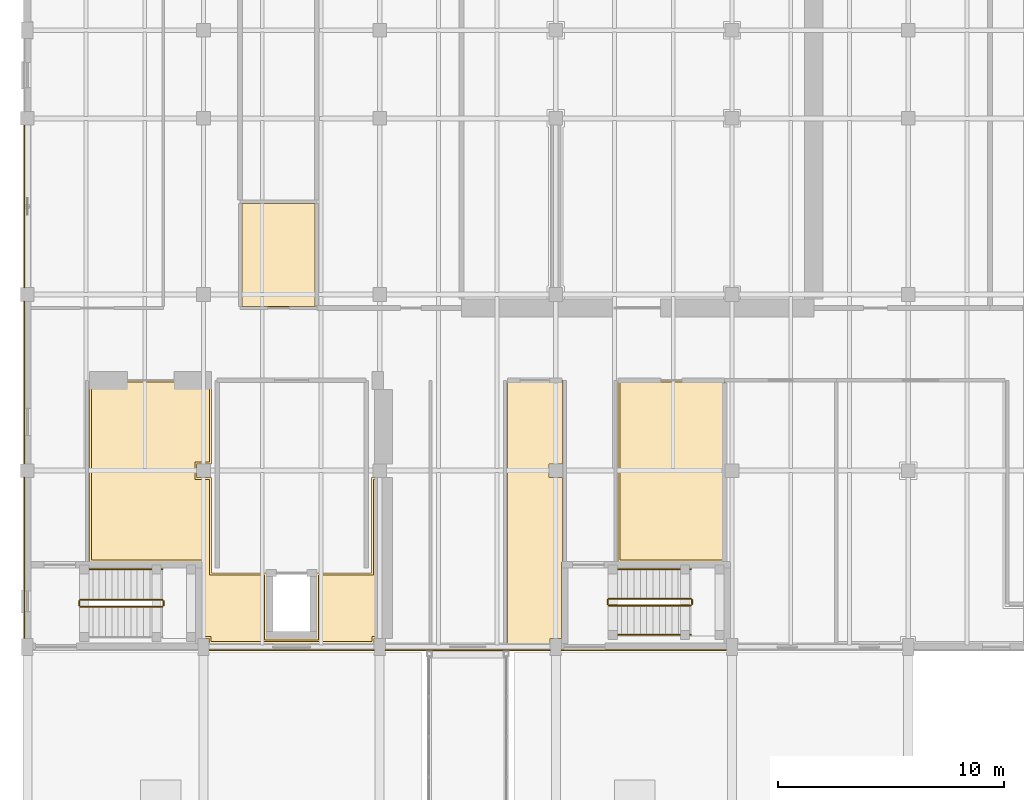
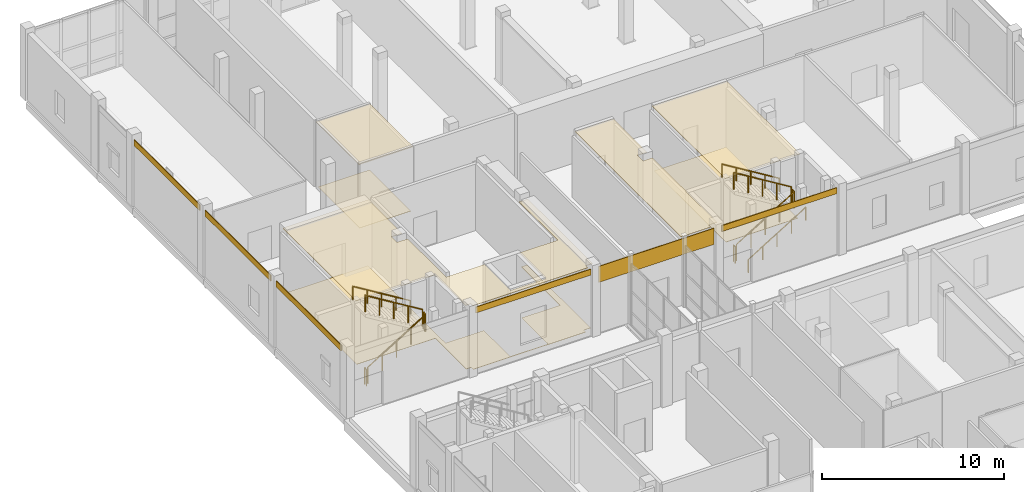
# One storey, part 113 of 131: 13 coverings, 11 railings.
"""IFC4 building model written with IfcOpenShell, lengths in metres."""

import ifcopenshell
import ifcopenshell.guid

model = None  # the IFC model being written
_history = None  # IfcOwnerHistory: only IFC2X3 demands one
_inside = {}  # id of a spatial element -> (the spatial element, [elements in it])
_under = {}  # id of a project, library or spatial element -> (it, [spatial elements below it])
_declared = {}  # id of a project -> (the project, [libraries it declares])
_typed = {}  # id of a type object -> (the type object, [elements of that type])
_made_of = {}  # id of a material, layer set ... -> (it, [elements and type objects made of it])


def new_model(schema):
    """Start an empty IFC model of exactly this schema.

    Asked for "IFC4X3", IfcOpenShell would pick the latest addendum, in which some entities
    have other attributes; the version numbers below select the first issue.
    IFC2X3 requires an IfcOwnerHistory on every rooted entity: one is made here for all.
    """
    global model, _history
    if schema == "IFC4X3":
        model = ifcopenshell.file(schema_version=(4, 3, 0, 0))
    else:
        model = ifcopenshell.file(schema=schema)
    _inside.clear()
    _under.clear()
    _declared.clear()
    _typed.clear()
    _made_of.clear()
    _history = None
    if model.schema == "IFC2X3":
        org = make("IfcOrganization", Name="unknown")
        user = make(
            "IfcPersonAndOrganization",
            ThePerson=make("IfcPerson", FamilyName="unknown"),
            TheOrganization=org,
        )
        app = make(
            "IfcApplication",
            ApplicationDeveloper=org,
            Version="unknown",
            ApplicationFullName="unknown",
            ApplicationIdentifier="unknown",
        )
        _history = make(
            "IfcOwnerHistory",
            OwningUser=user,
            OwningApplication=app,
            ChangeAction="ADDED",
            CreationDate=0,
        )
    return model


def make(cls, **values):
    """One entity of the class cls with the attributes given. An attribute that is None is left unset."""
    return model.create_entity(
        cls, **{name: value for name, value in values.items() if value is not None}
    )


def rooted(cls, **values):
    """An entity with a GlobalId (a new one), such as an element, a storey or a relation."""
    return make(cls, GlobalId=ifcopenshell.guid.new(), OwnerHistory=_history, **values)


def si_unit(unit_type, name, prefix=None):
    """IfcSIUnit, for example si_unit("LENGTHUNIT", "METRE", prefix="MILLI")."""
    return make("IfcSIUnit", UnitType=unit_type, Prefix=prefix, Name=name)


def assignment(units):
    """IfcUnitAssignment: the units of a project."""
    return None if units is None else make("IfcUnitAssignment", Units=units)


def point(xyz):
    """IfcCartesianPoint."""
    return None if xyz is None else make("IfcCartesianPoint", Coordinates=xyz)


def direction(xyz):
    """IfcDirection."""
    return None if xyz is None else make("IfcDirection", DirectionRatios=xyz)


def frame(location, z_axis=None, x_axis=None):
    """IfcAxis2Placement3D, a coordinate frame: its origin and axes. An axis left out is left unset."""
    return make(
        "IfcAxis2Placement3D",
        Location=point(location),
        Axis=direction(z_axis),
        RefDirection=direction(x_axis),
    )


def frame_2d(location, x_axis=None):
    """IfcAxis2Placement2D, a coordinate frame in the plane: its origin and x axis."""
    return make(
        "IfcAxis2Placement2D", Location=point(location), RefDirection=direction(x_axis)
    )


def origin():
    """The frame at (0, 0, 0) with its axes left unset."""
    return frame((0.0, 0.0, 0.0))


def origin_2d():
    """The frame at (0, 0) in the plane with its x axis left unset."""
    return frame_2d((0.0, 0.0))


def place(relative_to, where):
    """IfcLocalPlacement: puts the frame where relative to a parent placement (None: the world)."""
    return make(
        "IfcLocalPlacement", PlacementRelTo=relative_to, RelativePlacement=where
    )


def context(
    kind, dimensions, precision=None, world=None, true_north=None, identifier=None
):
    """IfcGeometricRepresentationContext, for example the 3D "Model" context."""
    return make(
        "IfcGeometricRepresentationContext",
        ContextIdentifier=identifier,
        ContextType=kind,
        CoordinateSpaceDimension=dimensions,
        Precision=precision,
        WorldCoordinateSystem=world,
        TrueNorth=true_north,
    )


def subcontext(parent, identifier, kind, view, scale=None):
    """IfcGeometricRepresentationSubContext, for example "Body" below "Model"."""
    return make(
        "IfcGeometricRepresentationSubContext",
        ContextIdentifier=identifier,
        ContextType=kind,
        ParentContext=parent,
        TargetScale=scale,
        TargetView=view,
    )


def project(units=None, contexts=None):
    """IfcProject with its units and contexts."""
    return rooted(
        "IfcProject",
        Name="project",
        RepresentationContexts=contexts,
        UnitsInContext=assignment(units),
    )


def spatial(cls, under=None, at=None, **own):
    """A site, building, storey or space (cls), placed at a placement, below another one or the project."""
    s = rooted(cls, ObjectPlacement=at, **own)
    if under is not None:
        _under.setdefault(under.id(), (under, []))[1].append(s)
    return s


def polyline(points):
    """IfcPolyline through the points."""
    return make("IfcPolyline", Points=[point(p) for p in points])


def profile(cls, at=None, kind="AREA", **sizes):
    """A parametric profile (cls). Its sizes go by their IFC names, for example OverallWidth=200.0."""
    return make(cls, ProfileType=kind, Position=at, **sizes)


def rectangle(**sizes):
    """IfcRectangleProfileDef."""
    return profile("IfcRectangleProfileDef", **sizes)


def circle(**sizes):
    """IfcCircleProfileDef."""
    return profile("IfcCircleProfileDef", **sizes)


def outline(outer, holes=None, kind="AREA"):
    """IfcArbitraryClosedProfileDef: a profile drawn as a closed curve; with holes, ...WithVoids."""
    if holes is None:
        return make("IfcArbitraryClosedProfileDef", ProfileType=kind, OuterCurve=outer)
    return make(
        "IfcArbitraryProfileDefWithVoids",
        ProfileType=kind,
        OuterCurve=outer,
        InnerCurves=holes,
    )


def extrude(swept, where, along, depth):
    """IfcExtrudedAreaSolid: the profile swept, set in the frame where, extruded along a direction by depth."""
    return make(
        "IfcExtrudedAreaSolid",
        SweptArea=swept,
        Position=where,
        ExtrudedDirection=direction(along),
        Depth=depth,
    )


def shape(context_of_items, identifier, shape_type, items):
    """IfcShapeRepresentation: the items that make up one representation, for example the "Body"."""
    return make(
        "IfcShapeRepresentation",
        ContextOfItems=context_of_items,
        RepresentationIdentifier=identifier,
        RepresentationType=shape_type,
        Items=items,
    )


def material(Name=None, Category=None):
    """IfcMaterial."""
    return make("IfcMaterial", Name=Name, Category=Category)


def layer(
    of_material, thickness, ventilated=None, Name=None, Category=None, Priority=None
):
    """IfcMaterialLayer: one layer of a wall or slab, of a material (None: an air gap)."""
    return make(
        "IfcMaterialLayer",
        Material=of_material,
        LayerThickness=thickness,
        IsVentilated=ventilated,
        Name=Name,
        Category=Category,
        Priority=Priority,
    )


def layer_set(layers, Name=None):
    """IfcMaterialLayerSet."""
    return make("IfcMaterialLayerSet", MaterialLayers=layers, LayerSetName=Name)


def made_of(thing, what):
    """Note that an element or type object is made of a material, layer set ...; save() writes the relation."""
    if what is not None:
        _made_of.setdefault(what.id(), (what, []))[1].append(thing)
    return thing


def type_object(cls, material=None, **own):
    """A type object (cls), such as IfcWallType, which elements share."""
    return made_of(rooted(cls, **own), material)


def element(
    cls,
    number,
    at=None,
    inside=None,
    cuts=None,
    type_object=None,
    material=None,
    context=None,
    identifier="Body",
    shape_type=None,
    held_by="IfcProductDefinitionShape",
    body=None,
    shapes=None,
    **own,
):
    """One element of the class cls, such as IfcWall. Its Tag is "e" and its number.

    at: its placement. inside: the storey or other place that contains it. cuts: it is an
    opening in that element (IfcRelVoidsElement). A single representation is given by context,
    identifier, shape_type and body (its items); several are given by shapes. held_by: the class
    of the entity that holds the representations. save() writes the other relations.
    """
    e = rooted(cls, Tag="e%d" % number, ObjectPlacement=at, **own)
    if body is not None:
        shapes = [shape(context, identifier, shape_type, body)]
    if shapes is not None:
        e.Representation = make(held_by, Representations=shapes)
    if inside is not None:
        _inside.setdefault(inside.id(), (inside, []))[1].append(e)
    if cuts is not None:
        rooted(
            "IfcRelVoidsElement", RelatingBuildingElement=cuts, RelatedOpeningElement=e
        )
    if type_object is not None:
        _typed.setdefault(type_object.id(), (type_object, []))[1].append(e)
    return made_of(e, material)


def aggregate(whole, parts):
    """IfcRelAggregates: a whole, such as a stair, and the parts it consists of."""
    return rooted("IfcRelAggregates", RelatingObject=whole, RelatedObjects=parts)


def save(model, path):
    """Write the relations noted so far, then the file.

    IfcRelAggregates (storeys below a building ...), IfcRelContainedInSpatialStructure (elements
    in a storey), IfcRelDefinesByType, IfcRelAssociatesMaterial and IfcRelDeclares: one each for
    every whole, place, type object, material and project.
    """
    for whole, parts in _under.values():
        aggregate(whole, parts)
    for where, things in _inside.values():
        rooted(
            "IfcRelContainedInSpatialStructure",
            RelatedElements=things,
            RelatingStructure=where,
        )
    for kind, things in _typed.values():
        rooted("IfcRelDefinesByType", RelatedObjects=things, RelatingType=kind)
    for what, things in _made_of.values():
        rooted("IfcRelAssociatesMaterial", RelatedObjects=things, RelatingMaterial=what)
    for by, libraries in _declared.values():
        rooted("IfcRelDeclares", RelatingContext=by, RelatedDefinitions=libraries)
    model.write(path)


model = new_model("IFC4")

# Units and contexts
model_context = context("Model", 3, precision=1e-05, world=origin(), true_north=direction((0.0, 1.0)))
body_context = subcontext(model_context, "Body", "Model", "MODEL_VIEW")
ifc_project = project(units=[si_unit("LENGTHUNIT", "METRE"), si_unit("AREAUNIT", "SQUARE_METRE"), si_unit("VOLUMEUNIT", "CUBIC_METRE"), si_unit("PLANEANGLEUNIT", "RADIAN"), si_unit("MASSUNIT", "GRAM", prefix="KILO")], contexts=[model_context])

# Site, building, storey
site_placement = place(None, origin())
site = spatial("IfcSite", under=ifc_project, at=site_placement, CompositionType="ELEMENT")
building_placement = place(site_placement, origin())
building = spatial("IfcBuilding", under=site, at=building_placement, Name="Celorna Specialist Clinic", CompositionType="ELEMENT")
storey_placement = place(building_placement, origin())
storey = spatial("IfcBuildingStorey", under=building, at=storey_placement, Name="L00", CompositionType="ELEMENT", Elevation=0.0)

# Coverings
ifc_material_1 = material(Name="Hygienic acoustic mineral-fibre ceiling")
ifc_layer_1 = layer(ifc_material_1, 0.030029296875, Name="Hygienic acoustic mineral-fibre ceiling")
ifc_layer_set_1 = layer_set([ifc_layer_1], Name="Hygienic acoustic mineral-fibre ceiling")
covering_type_1 = type_object("IfcCoveringType", Name="CE-01", PredefinedType="CEILING", material=ifc_layer_set_1)
covering_1_placement = place(storey_placement, frame((0.0, 0.0, 4.330078125)))
element("IfcCovering", 1, at=covering_1_placement, inside=storey, type_object=covering_type_1, Name="Acoustic ceiling L00-026", PredefinedType="CEILING", context=body_context, shape_type="SweptSolid", body=[
    extrude(outline(polyline([(8.1650390625, 38.364990234375), (10.590087890625, 38.364990234375), (10.590087890625, 35.489990234375), (12.81005859375, 35.489990234375), (12.81005859375, 38.364990234375), (15.235107421875, 38.364990234375), (15.235107421875, 42.60498046875), (15.294921875, 42.60498046875), (15.294921875, 42.594970703125), (15.784912109375, 42.594970703125), (15.784912109375, 35.47998046875), (15.344970703125, 35.47998046875), (15.344970703125, 35.2548828125), (8.054931640625, 35.2548828125), (8.054931640625, 35.47998046875), (7.72509765625, 35.47998046875), (7.72509765625, 38.864990234375), (2.7451171875, 38.864990234375), (2.7451171875, 46.9150390625), (8.1650390625, 46.9150390625), (8.1650390625, 43.195068359375), (8.10498046875, 43.195068359375), (8.10498046875, 43.205078125), (7.4951171875, 43.205078125), (7.4951171875, 42.594970703125), (8.10498046875, 42.594970703125), (8.10498046875, 42.60498046875), (8.1650390625, 42.60498046875), (8.1650390625, 38.364990234375)])), origin(), (0.0, 0.0, 1.0), 0.030029296875),
])
covering_2_placement = place(storey_placement, frame((0.0, 0.0, 4.330078125)))
element("IfcCovering", 2, at=covering_2_placement, inside=storey, type_object=covering_type_1, Name="Acoustic ceiling L00-027", PredefinedType="CEILING", context=body_context, shape_type="SweptSolid", body=[
    extrude(outline(polyline([(21.2548828125, 46.9150390625), (23.68505859375, 46.9150390625), (23.68505859375, 43.205078125), (23.094970703125, 43.205078125), (23.094970703125, 42.594970703125), (23.68505859375, 42.594970703125), (23.68505859375, 38.864990234375), (23.655029296875, 38.864990234375), (23.655029296875, 35.469970703125), (23.655029296875, 35.469970703125), (23.655029296875, 35.47998046875), (23.14501953125, 35.47998046875), (23.14501953125, 35.2548828125), (21.2548828125, 35.2548828125), (21.2548828125, 46.9150390625)])), origin(), (0.0, 0.0, 1.0), 0.030029296875),
])
covering_3_placement = place(storey_placement, frame((0.0, 0.0, 4.330078125)))
element("IfcCovering", 3, at=covering_3_placement, inside=storey, type_object=covering_type_1, Name="Acoustic ceiling L00-028", PredefinedType="CEILING", context=body_context, shape_type="SweptSolid", body=[
    extrude(outline(polyline([(26.14501953125, 38.864990234375), (26.14501953125, 46.9150390625), (30.885009765625, 46.9150390625), (30.885009765625, 38.864990234375), (26.14501953125, 38.864990234375)])), origin(), (0.0, 0.0, 1.0), 0.030029296875),
])
covering_4_placement = place(storey_placement, frame((0.0, 0.0, 4.330078125)))
element("IfcCovering", 4, at=covering_4_placement, inside=storey, type_object=covering_type_1, Name="Acoustic ceiling L00-032", PredefinedType="CEILING", context=body_context, shape_type="SweptSolid", body=[
    extrude(outline(polyline([(12.8349609375, 54.81494140625), (12.8349609375, 50.0849609375), (9.405029296875, 50.0849609375), (9.405029296875, 54.81494140625), (12.8349609375, 54.81494140625)])), origin(), (0.0, 0.0, 1.0), 0.030029296875),
])
ifc_material_2 = material(Name="Pero Pinheiro Lioz limestone rainscreen cladding", Category="masonry")
ifc_layer_2 = layer(ifc_material_2, 0.044921875, Name="Pero Pinheiro Lioz limestone rainscreen cladding")
ifc_layer_set_2 = layer_set([ifc_layer_2], Name="Pero Pinheiro Lioz limestone rainscreen cladding")
covering_type_2 = type_object("IfcCoveringType", Name="CL-01", PredefinedType="CLADDING", material=ifc_layer_set_2)
covering_5_placement = place(storey_placement, frame((11.699951171875, 34.952392578125, 4.06005859375), z_axis=(0.0, 0.0, 1.0), x_axis=(-1.0, 0.0, 0.0)))
element("IfcCovering", 5, at=covering_5_placement, inside=storey, type_object=covering_type_2, Name="Lioz spandrel cladding #103", PredefinedType="CLADDING", context=body_context, shape_type="SweptSolid", body=[
    extrude(rectangle(XDim=7.300048828125, YDim=0.044921875, at=origin_2d()), origin(), (0.0, 0.0, 1.0), 0.39990234375),
])
covering_6_placement = place(storey_placement, frame((19.5, 34.952392578125, 3.38525390625), z_axis=(0.0, 0.0, 1.0), x_axis=(-1.0, 0.0, 0.0)))
element("IfcCovering", 6, at=covering_6_placement, inside=storey, type_object=covering_type_2, Name="Lioz spandrel cladding #104", PredefinedType="CLADDING", context=body_context, shape_type="SweptSolid", body=[
    extrude(rectangle(XDim=7.300048828125, YDim=0.044921875, at=origin_2d()), origin(), (0.0, 0.0, 1.0), 1.074951171875),
])
covering_7_placement = place(storey_placement, frame((27.300048828125, 34.952392578125, 4.06005859375), z_axis=(0.0, 0.0, 1.0), x_axis=(-1.0, 0.0, 0.0)))
element("IfcCovering", 7, at=covering_7_placement, inside=storey, type_object=covering_type_2, Name="Lioz spandrel cladding #105", PredefinedType="CLADDING", context=body_context, shape_type="SweptSolid", body=[
    extrude(rectangle(XDim=7.300048828125, YDim=0.044921875, at=origin_2d()), origin(), (0.0, 0.0, 1.0), 0.39990234375),
])
covering_8_placement = place(storey_placement, frame((-0.1474609375, 39.03759765625, 4.06005859375), z_axis=(0.0, 0.0, 1.0), x_axis=(0.0, 1.0, 0.0)))
element("IfcCovering", 8, at=covering_8_placement, inside=storey, type_object=covering_type_2, Name="Lioz spandrel cladding #108", PredefinedType="CLADDING", context=body_context, shape_type="SweptSolid", body=[
    extrude(rectangle(XDim=7.125, YDim=0.044921875, at=origin_2d()), origin(), (0.0, 0.0, 1.0), 0.39990234375),
])
for number, where, z_axis, x_axis, name in (
    (9, (-0.1474609375, 46.800048828125, 4.06005859375), (0.0, 0.0, 1.0), (0.0, 1.0, 0.0), "Lioz spandrel cladding #109"),
    (10, (-0.1474609375, 54.60009765625, 4.06005859375), (0.0, 0.0, 1.0), (0.0, 1.0, 0.0), "Lioz spandrel cladding #110"),
):
    element("IfcCovering", number, at=place(storey_placement, frame(where, z_axis=z_axis, x_axis=x_axis)), inside=storey, type_object=covering_type_2, Name=name, PredefinedType="CLADDING", context=body_context, shape_type="SweptSolid", body=[
        extrude(rectangle(XDim=7.199951171875, YDim=0.044921875, at=origin_2d()), origin(), (0.0, 0.0, 1.0), 0.39990234375),
    ])
ifc_material_3 = material(Name="Seamless antimicrobial clinical vinyl and Lioz terrazzo flooring")
ifc_layer_3 = layer(ifc_material_3, 0.02001953125, Name="Seamless antimicrobial clinical vinyl and Lioz terrazzo flooring")
ifc_layer_set_3 = layer_set([ifc_layer_3], Name="Seamless antimicrobial clinical vinyl and Lioz terrazzo flooring")
covering_type_3 = type_object("IfcCoveringType", Name="FL-01", PredefinedType="FLOORING", material=ifc_layer_set_3)
covering_9_placement = place(storey_placement, origin())
element("IfcCovering", 11, at=covering_9_placement, inside=storey, type_object=covering_type_3, Name="Antimicrobial clinical flooring L00-026", PredefinedType="FLOORING", context=body_context, shape_type="SweptSolid", body=[
    extrude(outline(polyline([(8.074951171875, 42.514892578125), (8.074951171875, 38.27490234375), (10.5, 38.27490234375), (10.5, 35.39990234375), (12.89990234375, 35.39990234375), (12.89990234375, 38.27490234375), (15.324951171875, 38.27490234375), (15.324951171875, 42.514892578125), (15.695068359375, 42.514892578125), (15.695068359375, 35.56005859375), (15.264892578125, 35.56005859375), (15.264892578125, 35.344970703125), (8.135009765625, 35.344970703125), (8.135009765625, 35.56005859375), (7.81494140625, 35.56005859375), (7.81494140625, 38.955078125), (2.8349609375, 38.955078125), (2.8349609375, 46.824951171875), (8.074951171875, 46.824951171875), (8.074951171875, 43.284912109375), (7.4150390625, 43.284912109375), (7.4150390625, 42.514892578125), (8.074951171875, 42.514892578125)])), origin(), (0.0, 0.0, 1.0), 0.02001953125),
])
covering_10_placement = place(storey_placement, origin())
element("IfcCovering", 12, at=covering_10_placement, inside=storey, type_object=covering_type_3, Name="Antimicrobial clinical flooring L00-028", PredefinedType="FLOORING", context=body_context, shape_type="SweptSolid", body=[
    extrude(outline(polyline([(30.794921875, 38.955078125), (26.235107421875, 38.955078125), (26.235107421875, 46.824951171875), (30.794921875, 46.824951171875), (30.794921875, 38.955078125)])), origin(), (0.0, 0.0, 1.0), 0.02001953125),
])
covering_11_placement = place(storey_placement, origin())
element("IfcCovering", 13, at=covering_11_placement, inside=storey, type_object=covering_type_3, Name="Antimicrobial clinical flooring L00-032", PredefinedType="FLOORING", context=body_context, shape_type="SweptSolid", body=[
    extrude(outline(polyline([(9.4951171875, 54.72509765625), (12.7451171875, 54.72509765625), (12.7451171875, 50.175048828125), (9.4951171875, 50.175048828125), (9.4951171875, 54.72509765625)])), origin(), (0.0, 0.0, 1.0), 0.02001953125),
])

# Railings
ifc_material_4 = material(Name="Powder-coated steel S355", Category="steel")
railing_type_1 = type_object("IfcRailingType", Name="GR-01", PredefinedType="GUARDRAIL", material=ifc_material_4)
railing_1_placement = place(storey_placement, frame((2.340087890625, 36.8798828125, 0.17138671875)))
element("IfcRailing", 14, at=railing_1_placement, inside=storey, type_object=railing_type_1, Name="L00 ST-06 stair guard 1", PredefinedType="GUARDRAIL", context=body_context, shape_type="SweptSolid", body=[
    extrude(circle(Radius=0.02392578125, at=origin_2d()), frame((0.0, 0.0, 1.09619140625), z_axis=(0.852850264322, 0.0, 0.5221555579), x_axis=(0.0, 1.0, 0.0)), (0.0, 0.0, 1.0), 4.267822265625),
    extrude(circle(Radius=0.02099609375, at=origin_2d()), origin(), (0.0, 0.0, 1.0), 1.072021484375),
    extrude(circle(Radius=0.02099609375, at=origin_2d()), frame((0.909912109375, 0.0, 0.55712890625)), (0.0, 0.0, 1.0), 1.072021484375),
    extrude(circle(Radius=0.02099609375, at=origin_2d()), frame((1.81982421875, 0.0, 1.1142578125)), (0.0, 0.0, 1.0), 1.072021484375),
    extrude(circle(Radius=0.02099609375, at=origin_2d()), frame((2.72998046875, 0.0, 1.67138671875)), (0.0, 0.0, 1.0), 1.072021484375),
    extrude(circle(Radius=0.02099609375, at=origin_2d()), frame((3.639892578125, 0.0, 2.228515625)), (0.0, 0.0, 1.0), 1.072021484375),
])
railing_2_placement = place(storey_placement, frame((6.030029296875, 36.929931640625, 2.39990234375)))
element("IfcRailing", 15, at=railing_2_placement, inside=storey, type_object=railing_type_1, Name="L00 ST-06 stair guard 2", PredefinedType="GUARDRAIL", context=body_context, shape_type="SweptSolid", body=[
    extrude(circle(Radius=0.02392578125, at=origin_2d()), frame((0.0, 0.0, 1.09619140625), z_axis=(0.0, 1.0, 0.0), x_axis=(-1.0, 0.0, 0.0)), (0.0, 0.0, 1.0), 0.199951171875),
    extrude(circle(Radius=0.02099609375, at=origin_2d()), origin(), (0.0, 0.0, 1.0), 1.072021484375),
    extrude(circle(Radius=0.02099609375, at=origin_2d()), frame((0.0, 0.199951171875, 0.0)), (0.0, 0.0, 1.0), 1.072021484375),
])
railing_3_placement = place(storey_placement, frame((5.97998046875, 37.179931640625, 2.571533203125)))
element("IfcRailing", 16, at=railing_3_placement, inside=storey, type_object=railing_type_1, Name="L00 ST-06 stair guard 3", PredefinedType="GUARDRAIL", context=body_context, shape_type="SweptSolid", body=[
    extrude(circle(Radius=0.02392578125, at=origin_2d()), frame((0.0, 0.0, 1.09619140625), z_axis=(-0.852850264322, 0.0, 0.5221555579), x_axis=(0.0, -1.0, 0.0)), (0.0, 0.0, 1.0), 4.267822265625),
    extrude(circle(Radius=0.02099609375, at=origin_2d()), origin(), (0.0, 0.0, 1.0), 1.072021484375),
    extrude(circle(Radius=0.02099609375, at=origin_2d()), frame((-0.909912109375, 0.0, 0.55712890625)), (0.0, 0.0, 1.0), 1.072021484375),
    extrude(circle(Radius=0.02099609375, at=origin_2d()), frame((-1.81982421875, 0.0, 1.1142578125)), (0.0, 0.0, 1.0), 1.072021484375),
    extrude(circle(Radius=0.02099609375, at=origin_2d()), frame((-2.72998046875, 0.0, 1.67138671875)), (0.0, 0.0, 1.0), 1.072021484375),
    extrude(circle(Radius=0.02099609375, at=origin_2d()), frame((-3.639892578125, 0.0, 2.228515625)), (0.0, 0.0, 1.0), 1.072021484375),
])
railing_4_placement = place(storey_placement, frame((2.2900390625, 36.929931640625, 0.0)))
element("IfcRailing", 17, at=railing_4_placement, inside=storey, type_object=railing_type_1, Name="L00 ST-06 stair guard 4", PredefinedType="GUARDRAIL", context=body_context, shape_type="SweptSolid", body=[
    extrude(circle(Radius=0.02392578125, at=origin_2d()), frame((0.0, 0.0, 1.09619140625), z_axis=(0.0, 1.0, 0.0), x_axis=(-1.0, 0.0, 0.0)), (0.0, 0.0, 1.0), 0.199951171875),
    extrude(circle(Radius=0.02099609375, at=origin_2d()), origin(), (0.0, 0.0, 1.0), 1.072021484375),
    extrude(circle(Radius=0.02099609375, at=origin_2d()), frame((0.0, 0.199951171875, 0.0)), (0.0, 0.0, 1.0), 1.072021484375),
])
railing_5_placement = place(storey_placement, frame((25.739990234375, 36.929931640625, 0.17138671875)))
element("IfcRailing", 18, at=railing_5_placement, inside=storey, type_object=railing_type_1, Name="L00 ST-07 stair guard 1", PredefinedType="GUARDRAIL", context=body_context, shape_type="SweptSolid", body=[
    extrude(circle(Radius=0.02392578125, at=origin_2d()), frame((0.0, 0.0, 1.09619140625), z_axis=(0.852850264322, 0.0, 0.5221555579), x_axis=(0.0, 1.0, 0.0)), (0.0, 0.0, 1.0), 4.267822265625),
    extrude(circle(Radius=0.02099609375, at=origin_2d()), origin(), (0.0, 0.0, 1.0), 1.072021484375),
    extrude(circle(Radius=0.02099609375, at=origin_2d()), frame((0.909912109375, 0.0, 0.55712890625)), (0.0, 0.0, 1.0), 1.072021484375),
    extrude(circle(Radius=0.02099609375, at=origin_2d()), frame((1.81982421875, 0.0, 1.1142578125)), (0.0, 0.0, 1.0), 1.072021484375),
    extrude(circle(Radius=0.02099609375, at=origin_2d()), frame((2.72998046875, 0.0, 1.67138671875)), (0.0, 0.0, 1.0), 1.072021484375),
    extrude(circle(Radius=0.02099609375, at=origin_2d()), frame((3.639892578125, 0.0, 2.228515625)), (0.0, 0.0, 1.0), 1.072021484375),
])
railing_6_placement = place(storey_placement, frame((29.429931640625, 36.97998046875, 2.39990234375)))
element("IfcRailing", 19, at=railing_6_placement, inside=storey, type_object=railing_type_1, Name="L00 ST-07 stair guard 2", PredefinedType="GUARDRAIL", context=body_context, shape_type="SweptSolid", body=[
    extrude(circle(Radius=0.02392578125, at=origin_2d()), frame((0.0, 0.0, 1.09619140625), z_axis=(0.0, 1.0, 0.0), x_axis=(-1.0, 0.0, 0.0)), (0.0, 0.0, 1.0), 0.199951171875),
    extrude(circle(Radius=0.02099609375, at=origin_2d()), origin(), (0.0, 0.0, 1.0), 1.072021484375),
    extrude(circle(Radius=0.02099609375, at=origin_2d()), frame((0.0, 0.199951171875, 0.0)), (0.0, 0.0, 1.0), 1.072021484375),
])
railing_7_placement = place(storey_placement, frame((29.3798828125, 37.22998046875, 2.571533203125)))
element("IfcRailing", 20, at=railing_7_placement, inside=storey, type_object=railing_type_1, Name="L00 ST-07 stair guard 3", PredefinedType="GUARDRAIL", context=body_context, shape_type="SweptSolid", body=[
    extrude(circle(Radius=0.02392578125, at=origin_2d()), frame((0.0, 0.0, 1.09619140625), z_axis=(-0.852850264322, 0.0, 0.5221555579), x_axis=(0.0, -1.0, 0.0)), (0.0, 0.0, 1.0), 4.267822265625),
    extrude(circle(Radius=0.02099609375, at=origin_2d()), origin(), (0.0, 0.0, 1.0), 1.072021484375),
    extrude(circle(Radius=0.02099609375, at=origin_2d()), frame((-0.909912109375, 0.0, 0.55712890625)), (0.0, 0.0, 1.0), 1.072021484375),
    extrude(circle(Radius=0.02099609375, at=origin_2d()), frame((-1.81982421875, 0.0, 1.1142578125)), (0.0, 0.0, 1.0), 1.072021484375),
    extrude(circle(Radius=0.02099609375, at=origin_2d()), frame((-2.72998046875, 0.0, 1.67138671875)), (0.0, 0.0, 1.0), 1.072021484375),
    extrude(circle(Radius=0.02099609375, at=origin_2d()), frame((-3.639892578125, 0.0, 2.228515625)), (0.0, 0.0, 1.0), 1.072021484375),
])
railing_8_placement = place(storey_placement, frame((25.68994140625, 36.97998046875, 0.0)))
element("IfcRailing", 21, at=railing_8_placement, inside=storey, type_object=railing_type_1, Name="L00 ST-07 stair guard 4", PredefinedType="GUARDRAIL", context=body_context, shape_type="SweptSolid", body=[
    extrude(circle(Radius=0.02392578125, at=origin_2d()), frame((0.0, 0.0, 1.09619140625), z_axis=(0.0, 1.0, 0.0), x_axis=(-1.0, 0.0, 0.0)), (0.0, 0.0, 1.0), 0.199951171875),
    extrude(circle(Radius=0.02099609375, at=origin_2d()), origin(), (0.0, 0.0, 1.0), 1.072021484375),
    extrude(circle(Radius=0.02099609375, at=origin_2d()), frame((0.0, 0.199951171875, 0.0)), (0.0, 0.0, 1.0), 1.072021484375),
])
ifc_material_5 = material(Name="Brushed stainless steel handrail", Category="steel")
railing_type_2 = type_object("IfcRailingType", Name="HR-01", PredefinedType="HANDRAIL", material=ifc_material_5)
railing_9_placement = place(storey_placement, frame((5.97998046875, 38.530029296875, 2.571533203125)))
element("IfcRailing", 22, at=railing_9_placement, inside=storey, type_object=railing_type_2, Name="L00 ST-06 stair handrail 2", PredefinedType="HANDRAIL", context=body_context, shape_type="SweptSolid", body=[
    extrude(circle(Radius=0.02392578125, at=origin_2d()), frame((0.0, 0.0, 0.8759765625), z_axis=(-0.852850264322, 0.0, 0.5221555579), x_axis=(0.0, -1.0, 0.0)), (0.0, 0.0, 1.0), 4.267822265625),
    extrude(circle(Radius=0.02099609375, at=origin_2d()), origin(), (0.0, 0.0, 1.0), 0.851806640625),
    extrude(circle(Radius=0.02099609375, at=origin_2d()), frame((-0.909912109375, 0.0, 0.55712890625)), (0.0, 0.0, 1.0), 0.851806640625),
    extrude(circle(Radius=0.02099609375, at=origin_2d()), frame((-1.81982421875, 0.0, 1.1142578125)), (0.0, 0.0, 1.0), 0.851806640625),
    extrude(circle(Radius=0.02099609375, at=origin_2d()), frame((-2.72998046875, 0.0, 1.67138671875)), (0.0, 0.0, 1.0), 0.851806640625),
    extrude(circle(Radius=0.02099609375, at=origin_2d()), frame((-3.639892578125, 0.0, 2.228515625)), (0.0, 0.0, 1.0), 0.851806640625),
])
railing_10_placement = place(storey_placement, frame((25.739990234375, 35.6298828125, 0.17138671875)))
element("IfcRailing", 23, at=railing_10_placement, inside=storey, type_object=railing_type_2, Name="L00 ST-07 stair handrail 1", PredefinedType="HANDRAIL", context=body_context, shape_type="SweptSolid", body=[
    extrude(circle(Radius=0.02392578125, at=origin_2d()), frame((0.0, 0.0, 0.8759765625), z_axis=(0.852850264322, 0.0, 0.5221555579), x_axis=(0.0, 1.0, 0.0)), (0.0, 0.0, 1.0), 4.267822265625),
    extrude(circle(Radius=0.02099609375, at=origin_2d()), origin(), (0.0, 0.0, 1.0), 0.851806640625),
    extrude(circle(Radius=0.02099609375, at=origin_2d()), frame((0.909912109375, 0.0, 0.55712890625)), (0.0, 0.0, 1.0), 0.851806640625),
    extrude(circle(Radius=0.02099609375, at=origin_2d()), frame((1.81982421875, 0.0, 1.1142578125)), (0.0, 0.0, 1.0), 0.851806640625),
    extrude(circle(Radius=0.02099609375, at=origin_2d()), frame((2.72998046875, 0.0, 1.67138671875)), (0.0, 0.0, 1.0), 0.851806640625),
    extrude(circle(Radius=0.02099609375, at=origin_2d()), frame((3.639892578125, 0.0, 2.228515625)), (0.0, 0.0, 1.0), 0.851806640625),
])
railing_11_placement = place(storey_placement, frame((29.3798828125, 38.530029296875, 2.571533203125)))
element("IfcRailing", 24, at=railing_11_placement, inside=storey, type_object=railing_type_2, Name="L00 ST-07 stair handrail 2", PredefinedType="HANDRAIL", context=body_context, shape_type="SweptSolid", body=[
    extrude(circle(Radius=0.02392578125, at=origin_2d()), frame((0.0, 0.0, 0.8759765625), z_axis=(-0.852850264322, 0.0, 0.5221555579), x_axis=(0.0, -1.0, 0.0)), (0.0, 0.0, 1.0), 4.267822265625),
    extrude(circle(Radius=0.02099609375, at=origin_2d()), origin(), (0.0, 0.0, 1.0), 0.851806640625),
    extrude(circle(Radius=0.02099609375, at=origin_2d()), frame((-0.909912109375, 0.0, 0.55712890625)), (0.0, 0.0, 1.0), 0.851806640625),
    extrude(circle(Radius=0.02099609375, at=origin_2d()), frame((-1.81982421875, 0.0, 1.1142578125)), (0.0, 0.0, 1.0), 0.851806640625),
    extrude(circle(Radius=0.02099609375, at=origin_2d()), frame((-2.72998046875, 0.0, 1.67138671875)), (0.0, 0.0, 1.0), 0.851806640625),
    extrude(circle(Radius=0.02099609375, at=origin_2d()), frame((-3.639892578125, 0.0, 2.228515625)), (0.0, 0.0, 1.0), 0.851806640625),
])

save(model, "model.ifc")
